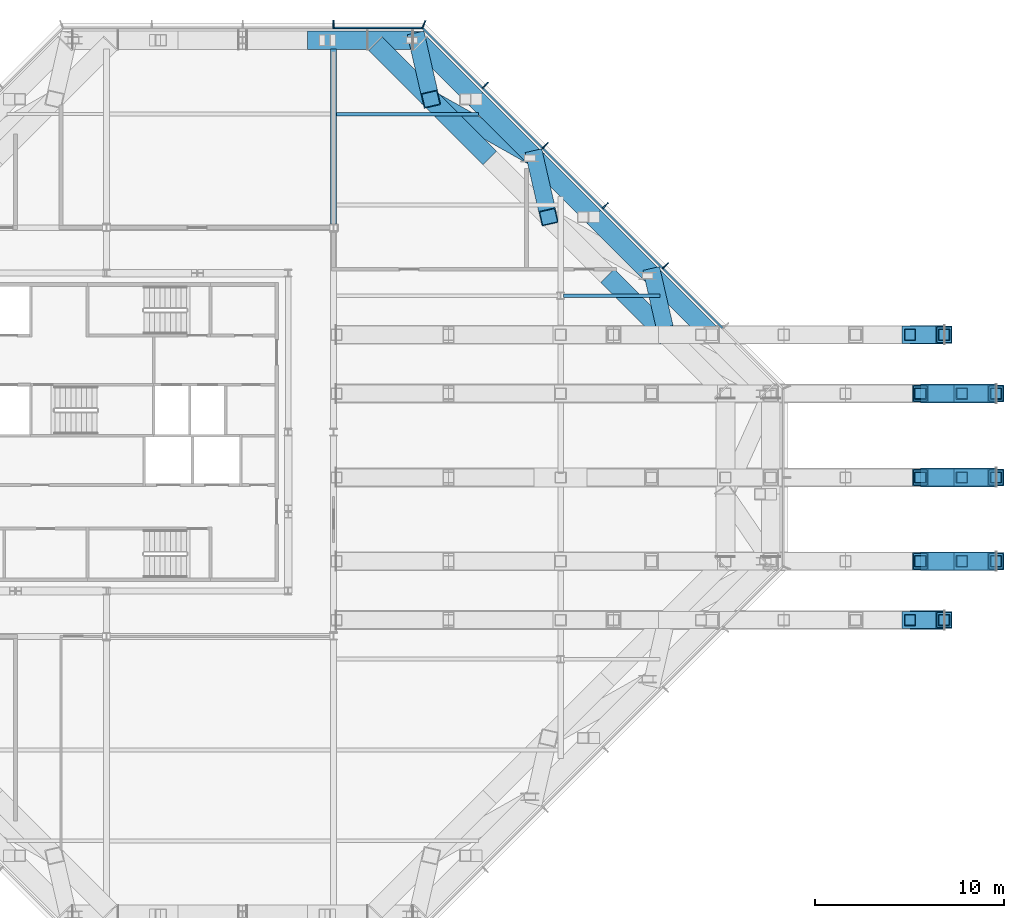
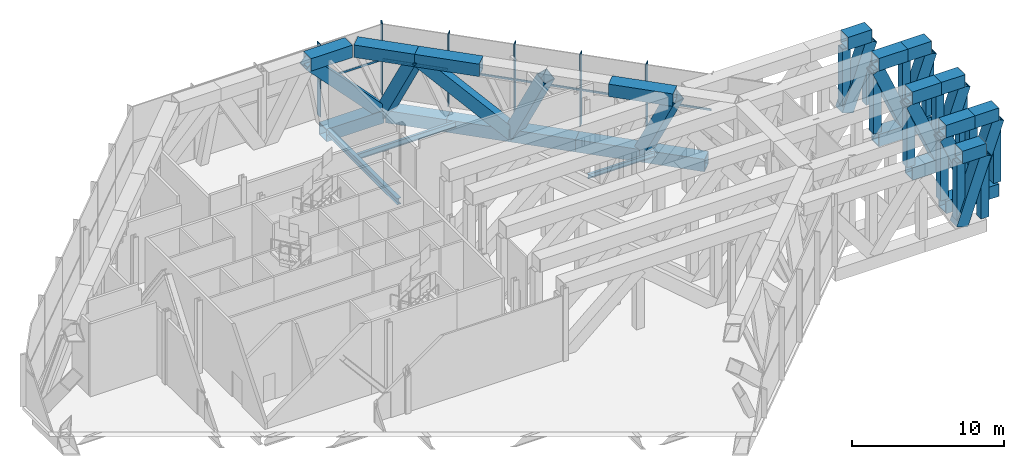
# One storey, part 9 of 18: 44 members, 18 beams, 2 elements without a shape of their own.
"""IFC4 building model written with IfcOpenShell, lengths in metres."""

from ifc_helpers import new_model, si_unit, direction, frame, origin, origin_2d, place, context, subcontext, project, spatial, rectangle, hollow_rectangle, i_section, extrude, material, material_profile, profile_set, type_object, element, aggregate, save


model = new_model("IFC4")

# Units and contexts
model_context = context("Model", 3, precision=1e-05, world=origin(), true_north=direction((0.0, 1.0)))
body_context = subcontext(model_context, "Body", "Model", "MODEL_VIEW")
ifc_project = project(units=[si_unit("LENGTHUNIT", "METRE"), si_unit("AREAUNIT", "SQUARE_METRE"), si_unit("VOLUMEUNIT", "CUBIC_METRE"), si_unit("PLANEANGLEUNIT", "RADIAN"), si_unit("MASSUNIT", "GRAM", prefix="KILO")], contexts=[model_context])

# Site, building, storey
site_placement = place(None, origin())
site = spatial("IfcSite", under=ifc_project, at=site_placement, CompositionType="ELEMENT")
building_placement = place(site_placement, origin())
building = spatial("IfcBuilding", under=site, at=building_placement, Name="Cairn Pilgrim Tower", CompositionType="ELEMENT")
storey_placement = place(building_placement, frame((0.0, 0.0, 261.0)))
storey = spatial("IfcBuildingStorey", under=building, at=storey_placement, Name="L67", CompositionType="ELEMENT", Elevation=261.0)

# Members
ifc_material_1 = material(Name="Structural steel S460M", Category="steel")
ifc_material_profile_1 = material_profile(ifc_material_1, hollow_rectangle(XDim=1.0, YDim=1.0, WallThickness=0.06005859375, at=origin_2d()), Name="BOX 1000x1000x60")
ifc_profile_set_1 = profile_set([ifc_material_profile_1], Name="Structural steel S460M")
member_type_1 = type_object("IfcMemberType", Name="BOX 1000x1000x60 CANTILEVER CHORD", PredefinedType="CHORD", material=ifc_profile_set_1)
member_1_placement = place(storey_placement, frame((49.66064453125, -7.539306640625, 5.35009765625), z_axis=(1.0, 0.0, 0.0), x_axis=(0.0, 1.0, 0.0)))
element("IfcMember", 1, at=member_1_placement, inside=storey, type_object=member_type_1, Name="SPS75-TC4", PredefinedType="CHORD", context=body_context, shape_type="SweptSolid", body=[
    extrude(hollow_rectangle(XDim=1.0, YDim=1.0, WallThickness=0.06005859375, at=origin_2d()), origin(), (0.0, 0.0, 1.0), 1.800048828125),
])
member_2_placement = place(storey_placement, frame((50.199951171875, -4.42724609375, -0.75), z_axis=(1.0, 0.0, 0.0), x_axis=(0.0, 1.0, 0.0)))
element("IfcMember", 2, at=member_2_placement, inside=storey, type_object=member_type_1, Name="SPS-BC3", PredefinedType="CHORD", context=body_context, shape_type="SweptSolid", body=[
    extrude(hollow_rectangle(XDim=1.0, YDim=1.0, WallThickness=0.06005859375, at=origin_2d()), origin(), (0.0, 0.0, 1.0), 4.0),
])
member_3_placement = place(storey_placement, frame((50.199951171875, -4.42724609375, 5.35009765625), z_axis=(1.0, 0.0, 0.0), x_axis=(0.0, 1.0, 0.0)))
element("IfcMember", 3, at=member_3_placement, inside=storey, type_object=member_type_1, Name="SPS-TC3", PredefinedType="CHORD", context=body_context, shape_type="SweptSolid", body=[
    extrude(hollow_rectangle(XDim=1.0, YDim=1.0, WallThickness=0.06005859375, at=origin_2d()), origin(), (0.0, 0.0, 1.0), 2.199951171875),
])
member_4_placement = place(storey_placement, frame((52.39990234375, -4.42724609375, 5.35009765625), z_axis=(1.0, 0.0, 0.0), x_axis=(0.0, 1.0, 0.0)))
element("IfcMember", 4, at=member_4_placement, inside=storey, type_object=member_type_1, Name="SPS-TC4", PredefinedType="CHORD", context=body_context, shape_type="SweptSolid", body=[
    extrude(hollow_rectangle(XDim=1.0, YDim=1.0, WallThickness=0.06005859375, at=origin_2d()), origin(), (0.0, 0.0, 1.0), 1.800048828125),
])
member_5_placement = place(storey_placement, frame((50.199951171875, 0.0, -0.75), z_axis=(1.0, 0.0, 0.0), x_axis=(0.0, 1.0, 0.0)))
element("IfcMember", 5, at=member_5_placement, inside=storey, type_object=member_type_1, Name="SPC-BC3", PredefinedType="CHORD", context=body_context, shape_type="SweptSolid", body=[
    extrude(hollow_rectangle(XDim=1.0, YDim=1.0, WallThickness=0.06005859375, at=origin_2d()), origin(), (0.0, 0.0, 1.0), 4.0),
])
member_6_placement = place(storey_placement, frame((50.199951171875, 0.0, 5.35009765625), z_axis=(1.0, 0.0, 0.0), x_axis=(0.0, 1.0, 0.0)))
element("IfcMember", 6, at=member_6_placement, inside=storey, type_object=member_type_1, Name="SPC-TC5", PredefinedType="CHORD", context=body_context, shape_type="SweptSolid", body=[
    extrude(hollow_rectangle(XDim=1.0, YDim=1.0, WallThickness=0.06005859375, at=origin_2d()), origin(), (0.0, 0.0, 1.0), 2.199951171875),
])
member_7_placement = place(storey_placement, frame((52.39990234375, 0.0, 5.35009765625), z_axis=(1.0, 0.0, 0.0), x_axis=(0.0, 1.0, 0.0)))
element("IfcMember", 7, at=member_7_placement, inside=storey, type_object=member_type_1, Name="SPC-TC6", PredefinedType="CHORD", context=body_context, shape_type="SweptSolid", body=[
    extrude(hollow_rectangle(XDim=1.0, YDim=1.0, WallThickness=0.06005859375, at=origin_2d()), origin(), (0.0, 0.0, 1.0), 1.800048828125),
])
member_8_placement = place(storey_placement, frame((50.199951171875, 4.42724609375, -0.75), z_axis=(1.0, 0.0, 0.0), x_axis=(0.0, 1.0, 0.0)))
element("IfcMember", 8, at=member_8_placement, inside=storey, type_object=member_type_1, Name="SPN-BC3", PredefinedType="CHORD", context=body_context, shape_type="SweptSolid", body=[
    extrude(hollow_rectangle(XDim=1.0, YDim=1.0, WallThickness=0.06005859375, at=origin_2d()), origin(), (0.0, 0.0, 1.0), 4.0),
])
member_9_placement = place(storey_placement, frame((50.199951171875, 4.42724609375, 5.35009765625), z_axis=(1.0, 0.0, 0.0), x_axis=(0.0, 1.0, 0.0)))
element("IfcMember", 9, at=member_9_placement, inside=storey, type_object=member_type_1, Name="SPN-TC3", PredefinedType="CHORD", context=body_context, shape_type="SweptSolid", body=[
    extrude(hollow_rectangle(XDim=1.0, YDim=1.0, WallThickness=0.06005859375, at=origin_2d()), origin(), (0.0, 0.0, 1.0), 2.199951171875),
])
for number, where, z_axis, x_axis, name in (
    (10, (52.39990234375, 4.42724609375, 5.35009765625), (1.0, 0.0, 0.0), (0.0, 1.0, 0.0), "SPN-TC4"),
    (11, (49.66064453125, 7.539306640625, 5.35009765625), (1.0, 0.0, 0.0), (0.0, 1.0, 0.0), "SPN75-TC4"),
):
    element("IfcMember", number, at=place(storey_placement, frame(where, z_axis=z_axis, x_axis=x_axis)), inside=storey, type_object=member_type_1, Name=name, PredefinedType="CHORD", context=body_context, shape_type="SweptSolid", body=[
        extrude(hollow_rectangle(XDim=1.0, YDim=1.0, WallThickness=0.06005859375, at=origin_2d()), origin(), (0.0, 0.0, 1.0), 1.800048828125),
    ])

# Beams
ifc_material_profile_2 = material_profile(ifc_material_1, hollow_rectangle(XDim=1.0, YDim=1.0, WallThickness=0.06005859375, at=origin_2d()), Name="BOX 1000x1000x60")
ifc_profile_set_2 = profile_set([ifc_material_profile_2], Name="Structural steel S460M")
beam_type_1 = type_object("IfcBeamType", Name="BOX 1000x1000x60 CHORD", PredefinedType="USERDEFINED", material=ifc_profile_set_2)
for number, where, z_axis, x_axis, name in (
    (12, (39.18798828125, 7.539306640625, -0.75), (-0.707106781187, 0.707106781187, 0.0), (-0.707106781187, -0.707106781187, 0.0), "BT67-NE-BC2"),
    (13, (36.787841796875, 7.539306640625, 5.35009765625), (-0.707079045527, 0.707134515759, 0.0), (-0.707134515759, -0.707079045527, 0.0), "BT67-NE-TC2"),
):
    element("IfcBeam", number, at=place(storey_placement, frame(where, z_axis=z_axis, x_axis=x_axis)), inside=storey, type_object=beam_type_1, Name=name, ObjectType="CHORD", PredefinedType="USERDEFINED", context=body_context, shape_type="SweptSolid", body=[
        extrude(hollow_rectangle(XDim=1.0, YDim=1.0, WallThickness=0.06005859375, at=origin_2d()), origin(), (0.0, 0.0, 1.0), 4.4013671875),
    ])
for number, where, z_axis, x_axis, name in (
    (14, (36.07568359375, 10.651611328125, -0.75), (-0.707106781187, 0.707106781187, 0.0), (-0.707106781187, -0.707106781187, 0.0), "BT67-NE-BC3"),
    (15, (32.963623046875, 13.763671875, -0.75), (-0.707106781187, 0.707106781187, 0.0), (-0.707106781187, -0.707106781187, 0.0), "BT67-NE-BC4"),
):
    element("IfcBeam", number, at=place(storey_placement, frame(where, z_axis=z_axis, x_axis=x_axis)), inside=storey, type_object=beam_type_1, Name=name, ObjectType="CHORD", PredefinedType="USERDEFINED", context=body_context, shape_type="SweptSolid", body=[
        extrude(hollow_rectangle(XDim=1.0, YDim=1.0, WallThickness=0.06005859375, at=origin_2d()), origin(), (0.0, 0.0, 1.0), 4.401123046875),
    ])
beam_1_placement = place(storey_placement, frame((29.8515625, 16.875732421875, -0.75), z_axis=(-0.707134515759, 0.707079045527, 0.0), x_axis=(-0.707079045527, -0.707134515759, 0.0)))
element("IfcBeam", 16, at=beam_1_placement, inside=storey, type_object=beam_type_1, Name="BT67-NE-BC5", ObjectType="CHORD", PredefinedType="USERDEFINED", context=body_context, shape_type="SweptSolid", body=[
    extrude(hollow_rectangle(XDim=1.0, YDim=1.0, WallThickness=0.06005859375, at=origin_2d()), origin(), (0.0, 0.0, 1.0), 4.4013671875),
])
beam_2_placement = place(storey_placement, frame((27.451416015625, 16.875732421875, 5.35009765625), z_axis=(-0.707106781187, 0.707106781187, 0.0), x_axis=(-0.707106781187, -0.707106781187, 0.0)))
element("IfcBeam", 17, at=beam_2_placement, inside=storey, type_object=beam_type_1, Name="BT67-NE-TC5", ObjectType="CHORD", PredefinedType="USERDEFINED", context=body_context, shape_type="SweptSolid", body=[
    extrude(hollow_rectangle(XDim=1.0, YDim=1.0, WallThickness=0.06005859375, at=origin_2d()), origin(), (0.0, 0.0, 1.0), 4.401123046875),
])
beam_3_placement = place(storey_placement, frame((26.7392578125, 19.98779296875, -0.75), z_axis=(-0.707077323927, 0.707136237219, 0.0), x_axis=(-0.707136237219, -0.707077323927, 0.0)))
element("IfcBeam", 18, at=beam_3_placement, inside=storey, type_object=beam_type_1, Name="BT67-NE-BC6", ObjectType="CHORD", PredefinedType="USERDEFINED", context=body_context, shape_type="SweptSolid", body=[
    extrude(hollow_rectangle(XDim=1.0, YDim=1.0, WallThickness=0.06005859375, at=origin_2d()), origin(), (0.0, 0.0, 1.0), 4.14404296875),
])
beam_4_placement = place(storey_placement, frame((24.33935546875, 19.98779296875, 5.35009765625), z_axis=(-0.707106781187, 0.707106781187, 0.0), x_axis=(-0.707106781187, -0.707106781187, 0.0)))
element("IfcBeam", 19, at=beam_4_placement, inside=storey, type_object=beam_type_1, Name="BT67-NE-TC6", ObjectType="CHORD", PredefinedType="USERDEFINED", context=body_context, shape_type="SweptSolid", body=[
    extrude(hollow_rectangle(XDim=1.0, YDim=1.0, WallThickness=0.06005859375, at=origin_2d()), origin(), (0.0, 0.0, 1.0), 4.144287109375),
])
beam_5_placement = place(storey_placement, frame((23.3701171875, 23.10009765625, -0.75), z_axis=(-1.0, 0.0, 0.0), x_axis=(0.0, -1.0, 0.0)))
element("IfcBeam", 20, at=beam_5_placement, inside=storey, type_object=beam_type_1, Name="BT67-N-BC1", ObjectType="CHORD", PredefinedType="USERDEFINED", context=body_context, shape_type="SweptSolid", body=[
    extrude(hollow_rectangle(XDim=1.0, YDim=1.0, WallThickness=0.06005859375, at=origin_2d()), origin(), (0.0, 0.0, 1.0), 4.3564453125),
])
beam_6_placement = place(storey_placement, frame((20.97021484375, 23.10009765625, 5.35009765625), z_axis=(-1.0, 0.0, 0.0), x_axis=(0.0, -1.0, 0.0)))
element("IfcBeam", 21, at=beam_6_placement, inside=storey, type_object=beam_type_1, Name="BT67-N-TC1", ObjectType="CHORD", PredefinedType="USERDEFINED", context=body_context, shape_type="SweptSolid", body=[
    extrude(hollow_rectangle(XDim=1.0, YDim=1.0, WallThickness=0.06005859375, at=origin_2d()), origin(), (0.0, 0.0, 1.0), 3.156494140625),
])

# Members
ifc_material_profile_3 = material_profile(ifc_material_1, hollow_rectangle(XDim=0.60009765625, YDim=0.60009765625, WallThickness=0.034912109375, at=origin_2d()), Name="BOX 600x600x35")
ifc_profile_set_3 = profile_set([ifc_material_profile_3], Name="Structural steel S460M")
member_type_2 = type_object("IfcMemberType", Name="BOX 600x600x35 CANTILEVER POST", PredefinedType="POST", material=ifc_profile_set_3)
for number, where, z_axis, x_axis, name in (
    (22, (49.660888671875, -7.539306640625, -0.25), (0.0, 0.0, 1.0), (1.0, 0.0, 0.0), "SPS75-P9"),
    (23, (51.460693359375, -7.539306640625, -0.25), (0.0, 0.0, 1.0), (1.0, 0.0, 0.0), "SPS75-P10"),
    (24, (50.199951171875, -4.42724609375, -0.25), (0.0, 0.0, 1.0), (1.0, 0.0, 0.0), "SPS-P8"),
    (25, (52.39990234375, -4.42724609375, -0.25), (0.0, 0.0, 1.0), (1.0, 0.0, 0.0), "SPS-P9"),
    (26, (54.199951171875, -4.42724609375, -0.25), (0.0, 0.0, 1.0), (1.0, 0.0, 0.0), "SPS-P10"),
    (27, (50.199951171875, 0.0, -0.25), (0.0, 0.0, 1.0), (1.0, 0.0, 0.0), "SPC-P8"),
    (28, (52.39990234375, 0.0, -0.25), (0.0, 0.0, 1.0), (1.0, 0.0, 0.0), "SPC-P9"),
    (29, (54.199951171875, 0.0, -0.25), (0.0, 0.0, 1.0), (1.0, 0.0, 0.0), "SPC-P10"),
    (30, (50.199951171875, 4.42724609375, -0.25), (0.0, 0.0, 1.0), (1.0, 0.0, 0.0), "SPN-P8"),
    (31, (52.39990234375, 4.42724609375, -0.25), (0.0, 0.0, 1.0), (1.0, 0.0, 0.0), "SPN-P9"),
    (32, (54.199951171875, 4.42724609375, -0.25), (0.0, 0.0, 1.0), (1.0, 0.0, 0.0), "SPN-P10"),
    (33, (49.660888671875, 7.539306640625, -0.25), (0.0, 0.0, 1.0), (1.0, 0.0, 0.0), "SPN75-P9"),
    (34, (51.460693359375, 7.539306640625, -0.25), (0.0, 0.0, 1.0), (1.0, 0.0, 0.0), "SPN75-P10"),
):
    element("IfcMember", number, at=place(storey_placement, frame(where, z_axis=z_axis, x_axis=x_axis)), inside=storey, type_object=member_type_2, Name=name, PredefinedType="POST", context=body_context, shape_type="SweptSolid", body=[
        extrude(hollow_rectangle(XDim=0.60009765625, YDim=0.60009765625, WallThickness=0.034912109375, at=origin_2d()), origin(), (0.0, 0.0, 1.0), 5.10009765625),
    ])
ifc_material_profile_4 = material_profile(ifc_material_1, hollow_rectangle(XDim=0.89990234375, YDim=0.89990234375, WallThickness=0.050048828125, at=origin_2d()), Name="BOX 900x900x50")
ifc_profile_set_4 = profile_set([ifc_material_profile_4], Name="Structural steel S460M")
member_type_3 = type_object("IfcMemberType", Name="BOX 900x900x50 CANTILEVER DIAGONAL", PredefinedType="BRACE", material=ifc_profile_set_4)
member_10_placement = place(storey_placement, frame((49.660888671875, -7.539306640625, -0.25), z_axis=(0.332782337596, 0.0, 0.943003666899), x_axis=(0.0, 1.0, 0.0)))
element("IfcMember", 35, at=member_10_placement, inside=storey, type_object=member_type_3, Name="SPS75-D9", PredefinedType="BRACE", context=body_context, shape_type="SweptSolid", body=[
    extrude(hollow_rectangle(XDim=0.89990234375, YDim=0.89990234375, WallThickness=0.050048828125, at=origin_2d()), origin(), (0.0, 0.0, 1.0), 5.408447265625),
])
member_11_placement = place(storey_placement, frame((50.199951171875, -4.42724609375, 4.85009765625), z_axis=(0.396077305145, 0.0, -0.918217168403), x_axis=(0.0, 1.0, 0.0)))
element("IfcMember", 36, at=member_11_placement, inside=storey, type_object=member_type_3, Name="SPS-D8", PredefinedType="BRACE", context=body_context, shape_type="SweptSolid", body=[
    extrude(hollow_rectangle(XDim=0.89990234375, YDim=0.89990234375, WallThickness=0.050048828125, at=origin_2d()), origin(), (0.0, 0.0, 1.0), 5.554443359375),
])
member_12_placement = place(storey_placement, frame((52.39990234375, -4.42724609375, -0.25), z_axis=(0.332822478941, 0.0, 0.942989500213), x_axis=(0.0, 1.0, 0.0)))
element("IfcMember", 37, at=member_12_placement, inside=storey, type_object=member_type_3, Name="SPS-D9", PredefinedType="BRACE", context=body_context, shape_type="SweptSolid", body=[
    extrude(hollow_rectangle(XDim=0.89990234375, YDim=0.89990234375, WallThickness=0.050048828125, at=origin_2d()), origin(), (0.0, 0.0, 1.0), 5.408447265625),
])
member_13_placement = place(storey_placement, frame((50.199951171875, 0.0, 4.85009765625), z_axis=(0.396077305145, 0.0, -0.918217168403), x_axis=(0.0, 1.0, 0.0)))
element("IfcMember", 38, at=member_13_placement, inside=storey, type_object=member_type_3, Name="SPC-D8", PredefinedType="BRACE", context=body_context, shape_type="SweptSolid", body=[
    extrude(hollow_rectangle(XDim=0.89990234375, YDim=0.89990234375, WallThickness=0.050048828125, at=origin_2d()), origin(), (0.0, 0.0, 1.0), 5.554443359375),
])
member_14_placement = place(storey_placement, frame((52.39990234375, 0.0, -0.25), z_axis=(0.332822478941, 0.0, 0.942989500213), x_axis=(0.0, 1.0, 0.0)))
element("IfcMember", 39, at=member_14_placement, inside=storey, type_object=member_type_3, Name="SPC-D9", PredefinedType="BRACE", context=body_context, shape_type="SweptSolid", body=[
    extrude(hollow_rectangle(XDim=0.89990234375, YDim=0.89990234375, WallThickness=0.050048828125, at=origin_2d()), origin(), (0.0, 0.0, 1.0), 5.408447265625),
])
member_15_placement = place(storey_placement, frame((50.199951171875, 4.42724609375, 4.85009765625), z_axis=(0.396077305145, 0.0, -0.918217168403), x_axis=(0.0, 1.0, 0.0)))
element("IfcMember", 40, at=member_15_placement, inside=storey, type_object=member_type_3, Name="SPN-D8", PredefinedType="BRACE", context=body_context, shape_type="SweptSolid", body=[
    extrude(hollow_rectangle(XDim=0.89990234375, YDim=0.89990234375, WallThickness=0.050048828125, at=origin_2d()), origin(), (0.0, 0.0, 1.0), 5.554443359375),
])
for number, where, z_axis, x_axis, name in (
    (41, (52.39990234375, 4.42724609375, -0.25), (0.332822478941, 0.0, 0.942989500213), (0.0, 1.0, 0.0), "SPN-D9"),
    (42, (49.660888671875, 7.539306640625, -0.25), (0.332782337596, 0.0, 0.943003666899), (0.0, 1.0, 0.0), "SPN75-D9"),
):
    element("IfcMember", number, at=place(storey_placement, frame(where, z_axis=z_axis, x_axis=x_axis)), inside=storey, type_object=member_type_3, Name=name, PredefinedType="BRACE", context=body_context, shape_type="SweptSolid", body=[
        extrude(hollow_rectangle(XDim=0.89990234375, YDim=0.89990234375, WallThickness=0.050048828125, at=origin_2d()), origin(), (0.0, 0.0, 1.0), 5.408447265625),
    ])

# Beams
ifc_material_profile_5 = material_profile(ifc_material_1, hollow_rectangle(XDim=0.89990234375, YDim=0.89990234375, WallThickness=0.050048828125, at=origin_2d()), Name="BOX 900x900x50")
ifc_profile_set_5 = profile_set([ifc_material_profile_5], Name="Structural steel S460M")
beam_type_2 = type_object("IfcBeamType", Name="BOX 900x900x50 DIAGONAL", PredefinedType="USERDEFINED", material=ifc_profile_set_5)
for number, where, z_axis, x_axis, name in (
    (43, (36.787841796875, 7.539306640625, 5.35009765625), (-0.10343447546, 0.452033833791, -0.885983477495), (-0.974805800501, -0.223055265145, 0.0), "BT67-NE-D2"),
    (44, (30.563720703125, 13.763671875, 5.35009765625), (-0.103436133361, 0.452005619457, -0.885997678493), (-0.974801995546, -0.223071893073, 0.0), "BT67-NE-D4"),
):
    element("IfcBeam", number, at=place(storey_placement, frame(where, z_axis=z_axis, x_axis=x_axis)), inside=storey, type_object=beam_type_2, Name=name, ObjectType="DIAGONAL", PredefinedType="USERDEFINED", context=body_context, shape_type="SweptSolid", body=[
        extrude(hollow_rectangle(XDim=0.89990234375, YDim=0.89990234375, WallThickness=0.050048828125, at=origin_2d()), origin(), (0.0, 0.0, 1.0), 6.885009765625),
    ])
beam_7_placement = place(storey_placement, frame((29.8515625, 16.875732421875, -0.75), z_axis=(-0.627033076163, 0.354007911323, 0.693907717292), x_axis=(-0.491633993745, -0.870801938557, 0.0)))
element("IfcBeam", 45, at=beam_7_placement, inside=storey, type_object=beam_type_2, Name="BT67-NE-D5", ObjectType="DIAGONAL", PredefinedType="USERDEFINED", context=body_context, shape_type="SweptSolid", body=[
    extrude(hollow_rectangle(XDim=0.89990234375, YDim=0.89990234375, WallThickness=0.050048828125, at=origin_2d()), origin(), (0.0, 0.0, 1.0), 8.791015625),
])
beam_8_placement = place(storey_placement, frame((24.33935546875, 19.98779296875, 5.35009765625), z_axis=(-0.10343447546, 0.452033833791, -0.885983477495), x_axis=(-0.974805800501, -0.223055265145, 0.0)))
element("IfcBeam", 46, at=beam_8_placement, inside=storey, type_object=beam_type_2, Name="BT67-NE-D6", ObjectType="DIAGONAL", PredefinedType="USERDEFINED", context=body_context, shape_type="SweptSolid", body=[
    extrude(hollow_rectangle(XDim=0.89990234375, YDim=0.89990234375, WallThickness=0.050048828125, at=origin_2d()), origin(), (0.0, 0.0, 1.0), 6.885009765625),
])
beam_9_placement = place(storey_placement, frame((23.627197265625, 23.10009765625, -0.75), z_axis=(-0.689895321041, 0.0, 0.723909142093), x_axis=(0.0, -1.0, 0.0)))
element("IfcBeam", 47, at=beam_9_placement, inside=storey, type_object=beam_type_2, Name="BT67-N-D1", ObjectType="DIAGONAL", PredefinedType="USERDEFINED", context=body_context, shape_type="SweptSolid", body=[
    extrude(hollow_rectangle(XDim=0.89990234375, YDim=0.89990234375, WallThickness=0.050048828125, at=origin_2d()), origin(), (0.0, 0.0, 1.0), 8.426513671875),
])

# Curtain wall, members
ifc_material_2 = material(Name="Aluminium alloy 6063-T6 bronze anodised with Bronze tinted laminated low-E glass 8+16+8.8", Category="aluminium")
curtain_wall_type = type_object("IfcCurtainWallType", Name="PLANT LOUVRE CURTAIN WALL", PredefinedType="NOTDEFINED", material=ifc_material_2)
curtain_wall_1_placement = place(storey_placement, origin())
curtain_wall_1 = element("IfcCurtainWall", 48, at=curtain_wall_1_placement, inside=storey, type_object=curtain_wall_type, Name="Plant Louvre Curtain Wall NE", PredefinedType="NOTDEFINED")
ifc_material_3 = material(Name="Aluminium alloy 6063-T6 bronze anodised", Category="aluminium")
ifc_material_profile_6 = material_profile(ifc_material_3, rectangle(XDim=0.449951171875, YDim=0.06005859375, at=origin_2d()), Name="FIN MULLION 60x450 BRONZE")
ifc_profile_set_6 = profile_set([ifc_material_profile_6], Name="Aluminium alloy 6063-T6 bronze anodised")
member_type_4 = type_object("IfcMemberType", Name="FIN MULLION 60x450 BRONZE", PredefinedType="MULLION", material=ifc_profile_set_6)
member_16_placement = place(storey_placement, frame((36.73681640625, 11.185546875, 0.0), z_axis=(0.0, 0.0, 1.0), x_axis=(0.707106781187, 0.707106781187, 0.0)))
member_16 = element("IfcMember", 49, at=member_16_placement, type_object=member_type_4, Name="Fin mullion NE3", PredefinedType="MULLION", context=body_context, shape_type="SweptSolid", body=[
    extrude(rectangle(XDim=0.449951171875, YDim=0.06005859375, at=origin_2d()), origin(), (0.0, 0.0, 1.0), 5.85009765625),
])
member_17_placement = place(storey_placement, frame((33.56103515625, 14.361083984375, 0.0), z_axis=(0.0, 0.0, 1.0), x_axis=(0.707106781187, 0.707106781187, 0.0)))
member_17 = element("IfcMember", 50, at=member_17_placement, type_object=member_type_4, Name="Fin mullion NE4", PredefinedType="MULLION", context=body_context, shape_type="SweptSolid", body=[
    extrude(rectangle(XDim=0.449951171875, YDim=0.06005859375, at=origin_2d()), origin(), (0.0, 0.0, 1.0), 5.85009765625),
])
member_18_placement = place(storey_placement, frame((30.385498046875, 17.53662109375, 0.0), z_axis=(0.0, 0.0, 1.0), x_axis=(0.707106781187, 0.707106781187, 0.0)))
member_18 = element("IfcMember", 51, at=member_18_placement, type_object=member_type_4, Name="Fin mullion NE5", PredefinedType="MULLION", context=body_context, shape_type="SweptSolid", body=[
    extrude(rectangle(XDim=0.449951171875, YDim=0.06005859375, at=origin_2d()), origin(), (0.0, 0.0, 1.0), 5.85009765625),
])
member_19_placement = place(storey_placement, frame((27.2099609375, 20.71240234375, 0.0), z_axis=(0.0, 0.0, 1.0), x_axis=(0.707106781187, 0.707106781187, 0.0)))
member_19 = element("IfcMember", 52, at=member_19_placement, type_object=member_type_4, Name="Fin mullion NE6", PredefinedType="MULLION", context=body_context, shape_type="SweptSolid", body=[
    extrude(rectangle(XDim=0.449951171875, YDim=0.06005859375, at=origin_2d()), origin(), (0.0, 0.0, 1.0), 5.85009765625),
])

curtain_wall_2_placement = place(storey_placement, origin())
curtain_wall_2 = element("IfcCurtainWall", 53, at=curtain_wall_2_placement, inside=storey, type_object=curtain_wall_type, Name="Plant Louvre Curtain Wall N", PredefinedType="NOTDEFINED")
member_20_placement = place(storey_placement, frame((23.97119140625, 23.93017578125, 0.0), z_axis=(0.0, 0.0, 1.0), x_axis=(0.382683432365, 0.923879532511, 0.0)))
member_20 = element("IfcMember", 54, at=member_20_placement, type_object=member_type_4, Name="Fin mullion N1", PredefinedType="MULLION", context=body_context, shape_type="SweptSolid", body=[
    extrude(rectangle(XDim=0.449951171875, YDim=0.06005859375, at=origin_2d()), origin(), (0.0, 0.0, 1.0), 5.85009765625),
])
member_21_placement = place(storey_placement, frame((19.199951171875, 23.945068359375, 0.0), z_axis=(0.0, 0.0, 1.0), x_axis=(0.0, 1.0, 0.0)))
member_21 = element("IfcMember", 55, at=member_21_placement, type_object=member_type_4, Name="Fin mullion N2", PredefinedType="MULLION", context=body_context, shape_type="SweptSolid", body=[
    extrude(rectangle(XDim=0.449951171875, YDim=0.06005859375, at=origin_2d()), origin(), (0.0, 0.0, 1.0), 5.85009765625),
])

# Beams
ifc_material_4 = material(Name="Structural steel S355J2", Category="steel")
ifc_material_profile_7 = material_profile(ifc_material_4, i_section(OverallWidth=0.300048828125, OverallDepth=0.5, WebThickness=0.014404296875, FlangeThickness=0.028076171875, FilletRadius=0.027099609375, at=origin_2d()), Name="HEB 500")
ifc_profile_set_7 = profile_set([ifc_material_profile_7], Name="Structural steel S355J2")
beam_type_3 = type_object("IfcBeamType", Name="HEB 500 GIRDER", PredefinedType="BEAM", material=ifc_profile_set_7)
beam_10_placement = place(storey_placement, frame((19.199951171875, 13.39697265625, -0.5), z_axis=(0.0, 1.0, 0.0), x_axis=(-1.0, 0.0, 0.0)))
element("IfcBeam", 56, at=beam_10_placement, inside=storey, type_object=beam_type_3, Name="PG4-4", PredefinedType="BEAM", context=body_context, shape_type="SweptSolid", body=[
    extrude(i_section(OverallWidth=0.300048828125, OverallDepth=0.5, WebThickness=0.014404296875, FlangeThickness=0.028076171875, FilletRadius=0.027099609375, at=origin_2d()), origin(), (0.0, 0.0, 1.0), 9.23291015625),
])
ifc_material_profile_8 = material_profile(ifc_material_4, i_section(OverallWidth=0.169921875, OverallDepth=0.360107421875, WebThickness=0.008056640625, FlangeThickness=0.0126953125, FilletRadius=0.01806640625, at=origin_2d()), Name="IPE 360")
ifc_profile_set_8 = profile_set([ifc_material_profile_8], Name="Structural steel S355J2")
beam_type_4 = type_object("IfcBeamType", Name="IPE 360 SECONDARY BEAM", PredefinedType="JOIST", material=ifc_profile_set_8)
beam_11_placement = place(storey_placement, frame((31.35009765625, 9.60009765625, -0.429931640625), z_axis=(1.0, 0.0, 0.0), x_axis=(0.0, 1.0, 0.0)))
element("IfcBeam", 57, at=beam_11_placement, inside=storey, type_object=beam_type_4, Name="SB7-3", PredefinedType="JOIST", context=body_context, shape_type="SweptSolid", body=[
    extrude(i_section(OverallWidth=0.169921875, OverallDepth=0.360107421875, WebThickness=0.008056640625, FlangeThickness=0.0126953125, FilletRadius=0.01806640625, at=origin_2d()), origin(), (0.0, 0.0, 1.0), 5.10009765625),
])
ifc_material_profile_9 = material_profile(ifc_material_4, i_section(OverallWidth=0.18994140625, OverallDepth=0.449951171875, WebThickness=0.009521484375, FlangeThickness=0.0146484375, FilletRadius=0.02099609375, at=origin_2d()), Name="IPE 450")
ifc_profile_set_9 = profile_set([ifc_material_profile_9], Name="Structural steel S355J2")
beam_type_5 = type_object("IfcBeamType", Name="IPE 450 SECONDARY BEAM", PredefinedType="JOIST", material=ifc_profile_set_9)
beam_12_placement = place(storey_placement, frame((19.35009765625, 19.199951171875, -0.47509765625), z_axis=(1.0, 0.0, 0.0), x_axis=(0.0, 1.0, 0.0)))
element("IfcBeam", 58, at=beam_12_placement, inside=storey, type_object=beam_type_5, Name="SB9-3", PredefinedType="JOIST", context=body_context, shape_type="SweptSolid", body=[
    extrude(i_section(OverallWidth=0.18994140625, OverallDepth=0.449951171875, WebThickness=0.009521484375, FlangeThickness=0.0146484375, FilletRadius=0.02099609375, at=origin_2d()), origin(), (0.0, 0.0, 1.0), 7.5),
])

# Member
ifc_material_profile_10 = material_profile(ifc_material_3, rectangle(XDim=0.080078125, YDim=0.14990234375, at=origin_2d()), Name="TRANSOM 80x150 BRONZE")
ifc_profile_set_10 = profile_set([ifc_material_profile_10], Name="Aluminium alloy 6063-T6 bronze anodised")
member_type_5 = type_object("IfcMemberType", Name="TRANSOM 80x150 BRONZE", PredefinedType="USERDEFINED", material=ifc_profile_set_10)
member_22_placement = place(storey_placement, frame((39.753173828125, 7.893310546875, 3.0), z_axis=(-0.707106781187, 0.707106781187, 0.0), x_axis=(-0.707106781187, -0.707106781187, 0.0)))
member_22 = element("IfcMember", 59, at=member_22_placement, type_object=member_type_5, Name="Transom NE2", ObjectType="TRANSOM", PredefinedType="USERDEFINED", context=body_context, shape_type="SweptSolid", body=[
    extrude(rectangle(XDim=0.080078125, YDim=0.14990234375, at=origin_2d()), origin(), (0.0, 0.0, 1.0), 4.430908203125),
])

member_23_placement = place(storey_placement, frame((36.57763671875, 11.06884765625, 3.0), z_axis=(-0.707134329907, 0.707079231393, 0.0), x_axis=(-0.707079231393, -0.707134329907, 0.0)))
member_23 = element("IfcMember", 60, at=member_23_placement, type_object=member_type_5, Name="Transom NE3", ObjectType="TRANSOM", PredefinedType="USERDEFINED", context=body_context, shape_type="SweptSolid", body=[
    extrude(rectangle(XDim=0.080078125, YDim=0.14990234375, at=origin_2d()), origin(), (0.0, 0.0, 1.0), 4.430908203125),
])

member_24_placement = place(storey_placement, frame((33.402099609375, 14.244384765625, 3.0), z_axis=(-0.707106781187, 0.707106781187, 0.0), x_axis=(-0.707106781187, -0.707106781187, 0.0)))
member_24 = element("IfcMember", 61, at=member_24_placement, type_object=member_type_5, Name="Transom NE4", ObjectType="TRANSOM", PredefinedType="USERDEFINED", context=body_context, shape_type="SweptSolid", body=[
    extrude(rectangle(XDim=0.080078125, YDim=0.14990234375, at=origin_2d()), origin(), (0.0, 0.0, 1.0), 4.43115234375),
])

member_25_placement = place(storey_placement, frame((30.226318359375, 17.419921875, 3.0), z_axis=(-0.707079231393, 0.707134329907, 0.0), x_axis=(-0.707134329907, -0.707079231393, 0.0)))
member_25 = element("IfcMember", 62, at=member_25_placement, type_object=member_type_5, Name="Transom NE5", ObjectType="TRANSOM", PredefinedType="USERDEFINED", context=body_context, shape_type="SweptSolid", body=[
    extrude(rectangle(XDim=0.080078125, YDim=0.14990234375, at=origin_2d()), origin(), (0.0, 0.0, 1.0), 4.430908203125),
])

member_26_placement = place(storey_placement, frame((27.05078125, 20.595703125, 3.0), z_axis=(-0.707106781187, 0.707106781187, 0.0), x_axis=(-0.707106781187, -0.707106781187, 0.0)))
member_26 = element("IfcMember", 63, at=member_26_placement, type_object=member_type_5, Name="Transom NE6", ObjectType="TRANSOM", PredefinedType="USERDEFINED", context=body_context, shape_type="SweptSolid", body=[
    extrude(rectangle(XDim=0.080078125, YDim=0.14990234375, at=origin_2d()), origin(), (0.0, 0.0, 1.0), 4.4208984375),
])

aggregate(curtain_wall_1, [member_16, member_17, member_18, member_19, member_22, member_23, member_24, member_25, member_26])

member_27_placement = place(storey_placement, frame((23.8564453125, 23.75, 3.0), z_axis=(-1.0, 0.0, 0.0), x_axis=(0.0, -1.0, 0.0)))
member_27 = element("IfcMember", 64, at=member_27_placement, type_object=member_type_5, Name="Transom N1", ObjectType="TRANSOM", PredefinedType="USERDEFINED", context=body_context, shape_type="SweptSolid", body=[
    extrude(rectangle(XDim=0.080078125, YDim=0.14990234375, at=origin_2d()), origin(), (0.0, 0.0, 1.0), 4.62646484375),
])

aggregate(curtain_wall_2, [member_20, member_21, member_27])

save(model, "model.ifc")
